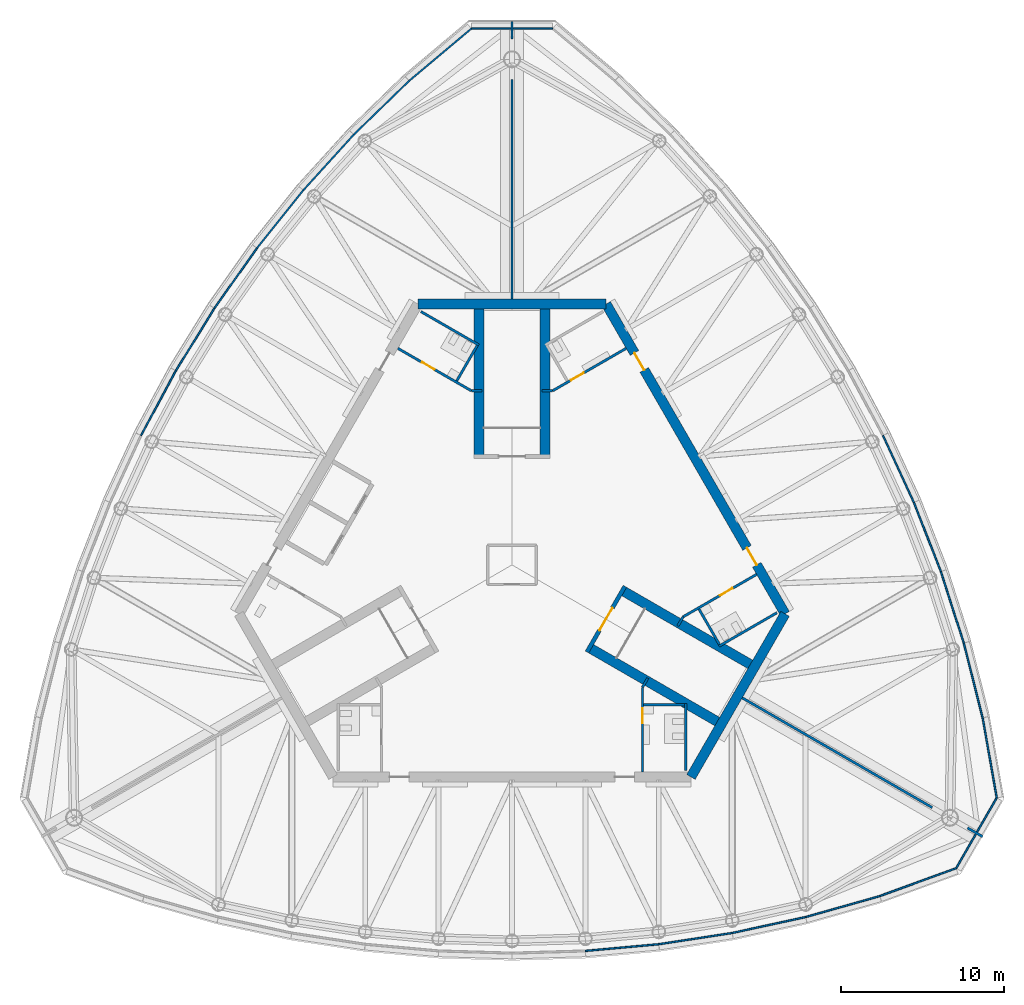
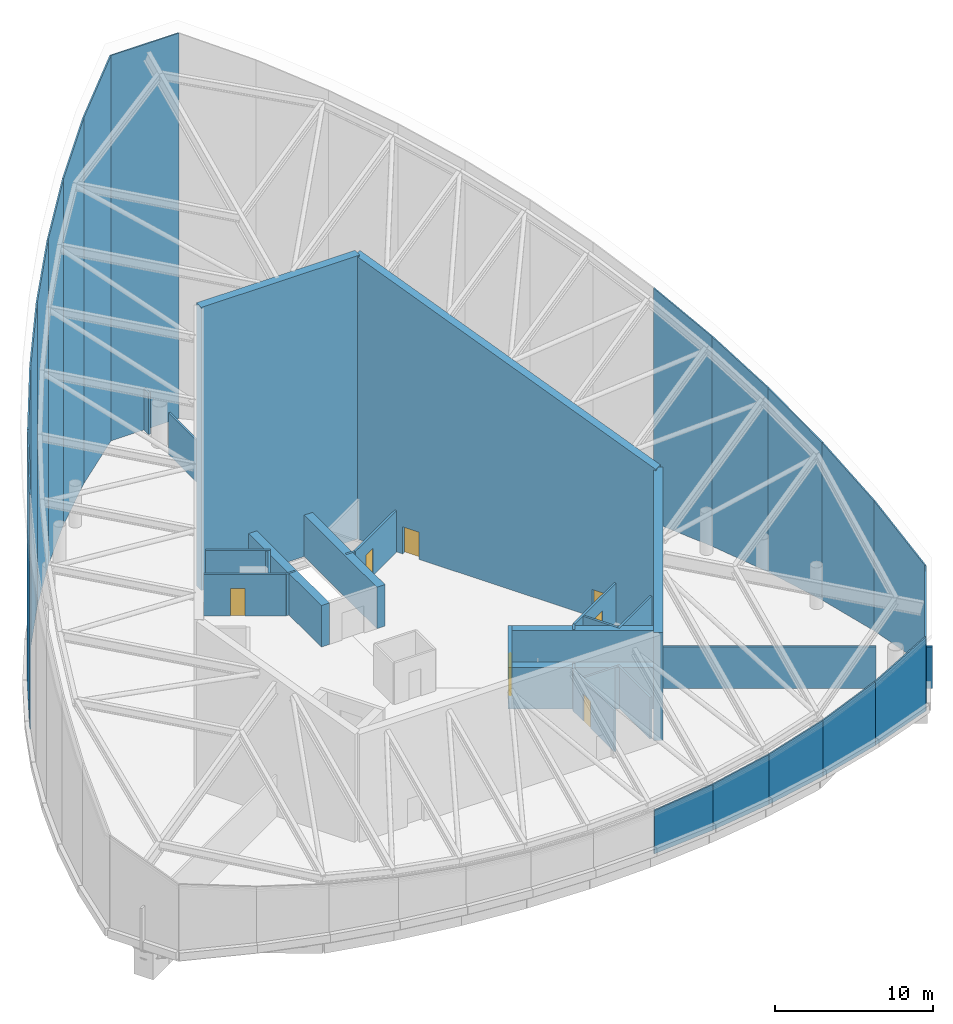
# One storey, part 6 of 10: 45 walls, 7 doors, 7 openings.
"""IFC4 building model written with IfcOpenShell, lengths in metres."""

from ifc_helpers import new_model, si_unit, direction, frame, frame_2d, origin, place, context, subcontext, project, spatial, polyline, rectangle, outline, extrude, material, layer, layer_set, type_object, element, fill, save


model = new_model("IFC4")

# Units and contexts
model_context = context("Model", 3, precision=1e-05, world=origin(), true_north=direction((0.0, 1.0)))
body_context = subcontext(model_context, "Body", "Model", "MODEL_VIEW")
ifc_project = project(units=[si_unit("LENGTHUNIT", "METRE"), si_unit("AREAUNIT", "SQUARE_METRE"), si_unit("VOLUMEUNIT", "CUBIC_METRE"), si_unit("PLANEANGLEUNIT", "RADIAN"), si_unit("MASSUNIT", "GRAM", prefix="KILO")], contexts=[model_context])

# Site, building, storey
site_placement = place(None, origin())
site = spatial("IfcSite", under=ifc_project, at=site_placement, CompositionType="ELEMENT")
building_placement = place(site_placement, origin())
building = spatial("IfcBuilding", under=site, at=building_placement, Name="Trefoil Bronze Tower", CompositionType="ELEMENT")
storey_placement = place(building_placement, frame((0.0, 0.0, 328.5)))
storey = spatial("IfcBuildingStorey", under=building, at=storey_placement, Name="RF", CompositionType="ELEMENT", Elevation=328.5)

# Wall
ifc_material_1 = material(Name="Concrete B80", Category="concrete")
ifc_layer_1 = layer(ifc_material_1, 0.60009765625)
ifc_layer_set_1 = layer_set([ifc_layer_1], Name="Core wall 600")
wall_type_1 = type_object("IfcWallType", Name="Core wall 600", PredefinedType="SHEAR", material=ifc_layer_set_1)
wall_1_placement = place(storey_placement, frame((10.9697265625, -13.0, 0.0), z_axis=(0.0, 0.0, 1.0), x_axis=(0.499995765644, 0.866027848477, 0.0)))
element("IfcWall", 1, at=wall_1_placement, inside=storey, type_object=wall_type_1, Name="Core short wall 1 RF", PredefinedType="SHEAR", context=body_context, shape_type="SweptSolid", body=[
    extrude(outline(polyline([(0.0, 0.0), (11.546875, 0.0), (11.547119140625, 12.97314453125), (0.0, 8.310302734375), (0.0, 0.0)])), frame((0.0, 0.300048828125, 0.0), z_axis=(0.0, -1.0, 0.0), x_axis=(1.0, 0.0, 0.0)), (0.0, 0.0, 1.0), 0.60009765625),
])

# Wall, openings, doors
wall_2_placement = place(storey_placement, frame((16.7431640625, -3.0, 0.0), z_axis=(0.0, 0.0, 1.0), x_axis=(-0.500002442456, 0.866023993627, 0.0)))
wall_2 = element("IfcWall", 2, at=wall_2_placement, inside=storey, type_object=wall_type_1, Name="Core long wall 2 RF", PredefinedType="SHEAR", context=body_context, shape_type="SweptSolid", body=[
    extrude(outline(polyline([(0.0, 0.0), (21.939453125, 0.0), (21.939208984375, 21.8330078125), (0.0, 12.97314453125), (0.0, 0.0)])), frame((0.0, 0.300048828125, 0.0), z_axis=(0.0, -1.0, 0.0), x_axis=(1.0, 0.0, 0.0)), (0.0, 0.0, 1.0), 0.60009765625),
])
opening_1_placement = place(wall_2_placement, frame((17.269775390625, 0.0, 0.0)))
opening_1 = element("IfcOpeningElement", 3, at=opening_1_placement, cuts=wall_2, Name="Opening D2", PredefinedType="OPENING", context=body_context, shape_type="SweptSolid", body=[
    extrude(rectangle(XDim=1.199951171875, YDim=2.10009765625, at=frame_2d((0.60009765625, 1.050048828125))), frame((0.0, 0.31005859375, 0.0), z_axis=(0.0, -1.0, 0.0), x_axis=(1.0, 0.0, 0.0)), (0.0, 0.0, 1.0), 0.6201171875),
])
opening_2_placement = place(wall_2_placement, frame((3.4697265625, 0.0, 0.0)))
opening_2 = element("IfcOpeningElement", 4, at=opening_2_placement, cuts=wall_2, Name="Opening D2", PredefinedType="OPENING", context=body_context, shape_type="SweptSolid", body=[
    extrude(rectangle(XDim=1.199951171875, YDim=2.10009765625, at=frame_2d((0.60009765625, 1.050048828125))), frame((0.0, 0.31005859375, 0.0), z_axis=(0.0, -1.0, 0.0), x_axis=(1.0, 0.0, 0.0)), (0.0, 0.0, 1.0), 0.6201171875),
])
ifc_material_2 = material(Name="Steel door", Category="steel")
door_type_1 = type_object("IfcDoorType", Name="Lobby door 1200", OperationType="SINGLE_SWING_RIGHT", PredefinedType="DOOR", material=ifc_material_2)
door_1_placement = place(opening_1_placement, origin())
door_1 = element("IfcDoor", 5, at=door_1_placement, inside=storey, type_object=door_type_1, Name="Lobby door F2+ RF", OperationType="SINGLE_SWING_RIGHT", OverallHeight=2.10009765625, OverallWidth=1.199951171875, PredefinedType="DOOR", context=body_context, shape_type="SweptSolid", body=[
    extrude(rectangle(XDim=1.199951171875, YDim=2.10009765625, at=frame_2d((0.60009765625, 1.050048828125))), frame((0.0, 0.02490234375, 0.0), z_axis=(0.0, -1.0, 0.0), x_axis=(1.0, 0.0, 0.0)), (0.0, 0.0, 1.0), 0.050048828125),
])
fill(opening_1, door_1)
door_2_placement = place(opening_2_placement, origin())
door_2 = element("IfcDoor", 6, at=door_2_placement, inside=storey, type_object=door_type_1, Name="Lobby door F2- RF", OperationType="SINGLE_SWING_LEFT", OverallHeight=2.10009765625, OverallWidth=1.199951171875, PredefinedType="DOOR", context=body_context, shape_type="SweptSolid", body=[
    extrude(rectangle(XDim=1.199951171875, YDim=2.10009765625, at=frame_2d((0.60009765625, 1.050048828125))), frame((0.0, 0.02490234375, 0.0), z_axis=(0.0, -1.0, 0.0), x_axis=(1.0, 0.0, 0.0)), (0.0, 0.0, 1.0), 0.050048828125),
])
fill(opening_2, door_2)

# Walls
wall_3_placement = place(storey_placement, frame((5.7734375, 16.0, 0.0), z_axis=(0.0, 0.0, 1.0), x_axis=(-1.0, 0.0, 0.0)))
element("IfcWall", 7, at=wall_3_placement, inside=storey, type_object=wall_type_1, Name="Core short wall 2 RF", PredefinedType="SHEAR", context=body_context, shape_type="SweptSolid", body=[
    extrude(outline(polyline([(0.0, 0.0), (11.546875, 0.0), (11.547119140625, 21.8330078125), (0.0, 21.8330078125), (0.0, 0.0)])), frame((0.0, 0.300048828125, 0.0), z_axis=(0.0, -1.0, 0.0), x_axis=(1.0, 0.0, 0.0)), (0.0, 0.0, 1.0), 0.60009765625),
])
ifc_material_3 = material(Name="Perforated bronze sheet", Category="bronze")
ifc_layer_2 = layer(ifc_material_3, 0.10009765625)
ifc_layer_set_2 = layer_set([ifc_layer_2], Name="Crown screen wall 100")
wall_type_2 = type_object("IfcWallType", Name="Crown screen wall 100", PredefinedType="USERDEFINED", material=ifc_layer_set_2)
wall_4_placement = place(storey_placement, frame((4.5, -23.665283203125, 0.0), z_axis=(0.0, 0.0, 1.0), x_axis=(0.995871921504, 0.090769576179, 0.0)))
element("IfcWall", 8, at=wall_4_placement, inside=storey, type_object=wall_type_2, Name="Crown screen wall 7", ObjectType="SCREEN", PredefinedType="USERDEFINED", context=body_context, shape_type="SweptSolid", body=[
    extrude(outline(polyline([(0.0, 0.0), (4.5185546875, 0.0), (4.5185546875, 3.528076171875), (0.0, 3.3369140625), (0.0, 0.0)])), frame((0.0, 0.050048828125, 0.0), z_axis=(0.0, -1.0, 0.0), x_axis=(1.0, 0.0, 0.0)), (0.0, 0.0, 1.0), 0.10009765625),
])
wall_5_placement = place(storey_placement, frame((9.0, -23.255126953125, 0.0), z_axis=(0.0, 0.0, 1.0), x_axis=(0.988481794406, 0.151339823341, 0.0)))
element("IfcWall", 9, at=wall_5_placement, inside=storey, type_object=wall_type_2, Name="Crown screen wall 8", ObjectType="SCREEN", PredefinedType="USERDEFINED", context=body_context, shape_type="SweptSolid", body=[
    extrude(outline(polyline([(0.0, 0.0), (4.552490234375, 0.0), (4.552490234375, 3.849365234375), (0.0, 3.528076171875), (0.0, 0.0)])), frame((0.0, 0.050048828125, 0.0), z_axis=(0.0, -1.0, 0.0), x_axis=(1.0, 0.0, 0.0)), (0.0, 0.0, 1.0), 0.10009765625),
])
wall_6_placement = place(storey_placement, frame((13.5, -22.566162109375, 0.0), z_axis=(0.0, 0.0, 1.0), x_axis=(0.977307775185, 0.211824249233, 0.0)))
element("IfcWall", 10, at=wall_6_placement, inside=storey, type_object=wall_type_2, Name="Crown screen wall 9", ObjectType="SCREEN", PredefinedType="USERDEFINED", context=body_context, shape_type="SweptSolid", body=[
    extrude(outline(polyline([(0.0, 0.0), (4.6044921875, 0.0), (4.6044921875, 4.30419921875), (0.0, 3.849365234375), (0.0, 0.0)])), frame((0.0, 0.050048828125, 0.0), z_axis=(0.0, -1.0, 0.0), x_axis=(1.0, 0.0, 0.0)), (0.0, 0.0, 1.0), 0.10009765625),
])
wall_7_placement = place(storey_placement, frame((18.0, -21.5908203125, 0.0), z_axis=(0.0, 0.0, 1.0), x_axis=(0.962092857379, 0.272722081579, 0.0)))
element("IfcWall", 11, at=wall_7_placement, inside=storey, type_object=wall_type_2, Name="Crown screen wall 10", ObjectType="SCREEN", PredefinedType="USERDEFINED", context=body_context, shape_type="SweptSolid", body=[
    extrude(outline(polyline([(0.0, 0.0), (4.7275390625, 0.0), (4.7275390625, 4.9052734375), (0.0, 4.30419921875), (0.0, 0.0)])), frame((0.0, 0.050048828125, 0.0), z_axis=(0.0, -1.0, 0.0), x_axis=(1.0, 0.0, 0.0)), (0.0, 0.0, 1.0), 0.10009765625),
])
wall_8_placement = place(storey_placement, frame((22.54833984375, -20.301513671875, 0.0), z_axis=(0.0, 0.0, 1.0), x_axis=(0.939700388428, 0.341998801149, 0.0)))
element("IfcWall", 12, at=wall_8_placement, inside=storey, type_object=wall_type_2, Name="Crown screen wall 11", ObjectType="SCREEN", PredefinedType="USERDEFINED", context=body_context, shape_type="SweptSolid", body=[
    extrude(outline(polyline([(0.0, 0.0), (4.982177734375, 0.0), (4.982177734375, 5.699951171875), (0.0, 4.9052734375), (0.0, 0.0)])), frame((0.0, 0.050048828125, 0.0), z_axis=(0.0, -1.0, 0.0), x_axis=(1.0, 0.0, 0.0)), (0.0, 0.0, 1.0), 0.10009765625),
])
wall_9_placement = place(storey_placement, frame((27.22998046875, -18.59765625, 0.0), z_axis=(0.0, 0.0, 1.0), x_axis=(0.49998120805, 0.86603625305, 0.0)))
element("IfcWall", 13, at=wall_9_placement, inside=storey, type_object=wall_type_2, Name="Crown screen wall 12", ObjectType="SCREEN", PredefinedType="USERDEFINED", context=body_context, shape_type="SweptSolid", body=[
    extrude(outline(polyline([(0.0, 0.0), (4.982177734375, 0.0), (4.982177734375, 7.7119140625), (0.0, 5.699951171875), (0.0, 0.0)])), frame((0.0, 0.050048828125, 0.0), z_axis=(0.0, -1.0, 0.0), x_axis=(1.0, 0.0, 0.0)), (0.0, 0.0, 1.0), 0.10009765625),
])
wall_10_placement = place(storey_placement, frame((29.720947265625, -14.282958984375, 0.0), z_axis=(0.0, 0.0, 1.0), x_axis=(-0.173625981998, 0.98481166645, 0.0)))
element("IfcWall", 14, at=wall_10_placement, inside=storey, type_object=wall_type_2, Name="Crown screen wall 13", ObjectType="SCREEN", PredefinedType="USERDEFINED", context=body_context, shape_type="SweptSolid", body=[
    extrude(outline(polyline([(0.0, 0.0), (4.98193359375, 0.0), (4.982177734375, 9.999755859375), (0.0, 7.7119140625), (0.0, 0.0)])), frame((0.0, 0.050048828125, 0.0), z_axis=(0.0, -1.0, 0.0), x_axis=(1.0, 0.0, 0.0)), (0.0, 0.0, 1.0), 0.10009765625),
])
wall_11_placement = place(storey_placement, frame((28.85595703125, -9.376708984375, 0.0), z_axis=(0.0, 0.0, 1.0), x_axis=(-0.244880009949, 0.969553392407, 0.0)))
element("IfcWall", 15, at=wall_11_placement, inside=storey, type_object=wall_type_2, Name="Crown screen wall 14", ObjectType="SCREEN", PredefinedType="USERDEFINED", context=body_context, shape_type="SweptSolid", body=[
    extrude(outline(polyline([(0.0, 0.0), (4.727783203125, 0.0), (4.7275390625, 12.13720703125), (0.0, 9.999755859375), (0.0, 0.0)])), frame((0.0, 0.050048828125, 0.0), z_axis=(0.0, -1.0, 0.0), x_axis=(1.0, 0.0, 0.0)), (0.0, 0.0, 1.0), 0.10009765625),
])
wall_12_placement = place(storey_placement, frame((27.6982421875, -4.79296875, 0.0), z_axis=(0.0, 0.0, 1.0), x_axis=(-0.305198955544, 0.952288610419, 0.0)))
element("IfcWall", 16, at=wall_12_placement, inside=storey, type_object=wall_type_2, Name="Crown screen wall 15", ObjectType="SCREEN", PredefinedType="USERDEFINED", context=body_context, shape_type="SweptSolid", body=[
    extrude(outline(polyline([(0.0, 0.0), (4.6044921875, 0.0), (4.6044921875, 14.181884765625), (0.0, 12.13720703125), (0.0, 0.0)])), frame((0.0, 0.050048828125, 0.0), z_axis=(0.0, -1.0, 0.0), x_axis=(1.0, 0.0, 0.0)), (0.0, 0.0, 1.0), 0.10009765625),
])
wall_13_placement = place(storey_placement, frame((26.29296875, -0.408203125, 0.0), z_axis=(0.0, 0.0, 1.0), x_axis=(-0.363230297573, 0.931699388711, 0.0)))
element("IfcWall", 17, at=wall_13_placement, inside=storey, type_object=wall_type_2, Name="Crown screen wall 16", ObjectType="SCREEN", PredefinedType="USERDEFINED", context=body_context, shape_type="SweptSolid", body=[
    extrude(outline(polyline([(0.0, 0.0), (4.552490234375, 0.0), (4.552490234375, 16.15966796875), (0.0, 14.181884765625), (0.0, 0.0)])), frame((0.0, 0.050048828125, 0.0), z_axis=(0.0, -1.0, 0.0), x_axis=(1.0, 0.0, 0.0)), (0.0, 0.0, 1.0), 0.10009765625),
])
wall_14_placement = place(storey_placement, frame((24.639404296875, 3.833251953125, 0.0), z_axis=(0.0, 0.0, 1.0), x_axis=(-0.419270595022, 0.907861315483, 0.0)))
element("IfcWall", 18, at=wall_14_placement, inside=storey, type_object=wall_type_2, Name="Crown screen wall 17", ObjectType="SCREEN", PredefinedType="USERDEFINED", context=body_context, shape_type="SweptSolid", body=[
    extrude(outline(polyline([(0.0, 0.0), (4.5185546875, 0.0), (4.5185546875, 18.072509765625), (0.0, 16.15966796875), (0.0, 0.0)])), frame((0.0, 0.050048828125, 0.0), z_axis=(0.0, -1.0, 0.0), x_axis=(1.0, 0.0, 0.0)), (0.0, 0.0, 1.0), 0.10009765625),
])
wall_15_placement = place(storey_placement, frame((2.490966796875, 32.880615234375, 0.0), z_axis=(0.0, 0.0, 1.0), x_axis=(-1.0, 0.0, 0.0)))
element("IfcWall", 19, at=wall_15_placement, inside=storey, type_object=wall_type_2, Name="Crown screen wall 25", ObjectType="SCREEN", PredefinedType="USERDEFINED", context=body_context, shape_type="SweptSolid", body=[
    extrude(outline(polyline([(0.0, 0.0), (4.98193359375, 0.0), (4.982177734375, 29.70458984375), (0.0, 29.70458984375), (0.0, 0.0)])), frame((0.0, 0.050048828125, 0.0), z_axis=(0.0, -1.0, 0.0), x_axis=(1.0, 0.0, 0.0)), (0.0, 0.0, 1.0), 0.10009765625),
])
wall_16_placement = place(storey_placement, frame((-2.490966796875, 32.880615234375, 0.0), z_axis=(0.0, 0.0, 1.0), x_axis=(-0.766059994953, -0.642769075277, 0.0)))
element("IfcWall", 20, at=wall_16_placement, inside=storey, type_object=wall_type_2, Name="Crown screen wall 26", ObjectType="SCREEN", PredefinedType="USERDEFINED", context=body_context, shape_type="SweptSolid", body=[
    extrude(outline(polyline([(0.0, 0.0), (4.982177734375, 0.0), (4.982177734375, 28.21142578125), (0.0, 29.70458984375), (0.0, 0.0)])), frame((0.0, 0.050048828125, 0.0), z_axis=(0.0, -1.0, 0.0), x_axis=(1.0, 0.0, 0.0)), (0.0, 0.0, 1.0), 0.10009765625),
])
wall_17_placement = place(storey_placement, frame((-6.3076171875, 29.67822265625, 0.0), z_axis=(0.0, 0.0, 1.0), x_axis=(-0.717207108263, -0.696860074805, 0.0)))
element("IfcWall", 21, at=wall_17_placement, inside=storey, type_object=wall_type_2, Name="Crown screen wall 27", ObjectType="SCREEN", PredefinedType="USERDEFINED", context=body_context, shape_type="SweptSolid", body=[
    extrude(outline(polyline([(0.0, 0.0), (4.7275390625, 0.0), (4.7275390625, 26.67529296875), (0.0, 28.21142578125), (0.0, 0.0)])), frame((0.0, 0.050048828125, 0.0), z_axis=(0.0, -1.0, 0.0), x_axis=(1.0, 0.0, 0.0)), (0.0, 0.0, 1.0), 0.10009765625),
])
wall_18_placement = place(storey_placement, frame((-9.6982421875, 26.3837890625, 0.0), z_axis=(0.0, 0.0, 1.0), x_axis=(-0.672107828981, -0.740453284295, 0.0)))
element("IfcWall", 22, at=wall_18_placement, inside=storey, type_object=wall_type_2, Name="Crown screen wall 28", ObjectType="SCREEN", PredefinedType="USERDEFINED", context=body_context, shape_type="SweptSolid", body=[
    extrude(outline(polyline([(0.0, 0.0), (4.6044921875, 0.0), (4.6044921875, 25.08544921875), (0.0, 26.67529296875), (0.0, 0.0)])), frame((0.0, 0.050048828125, 0.0), z_axis=(0.0, -1.0, 0.0), x_axis=(1.0, 0.0, 0.0)), (0.0, 0.0, 1.0), 0.10009765625),
])
wall_19_placement = place(storey_placement, frame((-12.79296875, 22.974365234375, 0.0), z_axis=(0.0, 0.0, 1.0), x_axis=(-0.625290045305, -0.780392439252, 0.0)))
element("IfcWall", 23, at=wall_19_placement, inside=storey, type_object=wall_type_2, Name="Crown screen wall 29", ObjectType="SCREEN", PredefinedType="USERDEFINED", context=body_context, shape_type="SweptSolid", body=[
    extrude(outline(polyline([(0.0, 0.0), (4.55224609375, 0.0), (4.552490234375, 23.4287109375), (0.0, 25.08544921875), (0.0, 0.0)])), frame((0.0, 0.050048828125, 0.0), z_axis=(0.0, -1.0, 0.0), x_axis=(1.0, 0.0, 0.0)), (0.0, 0.0, 1.0), 0.10009765625),
])
wall_20_placement = place(storey_placement, frame((-15.639404296875, 19.421875, 0.0), z_axis=(0.0, 0.0, 1.0), x_axis=(-0.576572893039, -0.817045714151, 0.0)))
element("IfcWall", 24, at=wall_20_placement, inside=storey, type_object=wall_type_2, Name="Crown screen wall 30", ObjectType="SCREEN", PredefinedType="USERDEFINED", context=body_context, shape_type="SweptSolid", body=[
    extrude(outline(polyline([(0.0, 0.0), (4.518798828125, 0.0), (4.5185546875, 21.70703125), (0.0, 23.4287109375), (0.0, 0.0)])), frame((0.0, 0.050048828125, 0.0), z_axis=(0.0, -1.0, 0.0), x_axis=(1.0, 0.0, 0.0)), (0.0, 0.0, 1.0), 0.10009765625),
])
wall_21_placement = place(storey_placement, frame((-18.244873046875, 15.729736328125, 0.0), z_axis=(0.0, 0.0, 1.0), x_axis=(-0.525981173851, -0.850496210899, 0.0)))
element("IfcWall", 25, at=wall_21_placement, inside=storey, type_object=wall_type_2, Name="Crown screen wall 31", ObjectType="SCREEN", PredefinedType="USERDEFINED", context=body_context, shape_type="SweptSolid", body=[
    extrude(outline(polyline([(0.0, 0.0), (4.501953125, 0.0), (4.501953125, 19.921630859375), (0.0, 21.70703125), (0.0, 0.0)])), frame((0.0, 0.050048828125, 0.0), z_axis=(0.0, -1.0, 0.0), x_axis=(1.0, 0.0, 0.0)), (0.0, 0.0, 1.0), 0.10009765625),
])
wall_22_placement = place(storey_placement, frame((-20.61279296875, 11.90087890625, 0.0), z_axis=(0.0, 0.0, 1.0), x_axis=(-0.473566170147, -0.880758242932, 0.0)))
element("IfcWall", 26, at=wall_22_placement, inside=storey, type_object=wall_type_2, Name="Crown screen wall 32", ObjectType="SCREEN", PredefinedType="USERDEFINED", context=body_context, shape_type="SweptSolid", body=[
    extrude(outline(polyline([(0.0, 0.0), (4.502197265625, 0.0), (4.501953125, 18.072509765625), (0.0, 19.921630859375), (0.0, 0.0)])), frame((0.0, 0.050048828125, 0.0), z_axis=(0.0, -1.0, 0.0), x_axis=(1.0, 0.0, 0.0)), (0.0, 0.0, 1.0), 0.10009765625),
])

# Wall, opening, door
ifc_material_4 = material(Name="Gypsum board on steel studs", Category="steel")
ifc_layer_3 = layer(ifc_material_4, 0.14990234375)
ifc_layer_set_3 = layer_set([ifc_layer_3], Name="Partition 150")
wall_type_3 = type_object("IfcWallType", Name="Partition 150", PredefinedType="PARTITIONING", material=ifc_layer_set_3)
wall_23_placement = place(storey_placement, frame((8.0, -7.5, 0.0), z_axis=(0.0, 0.0, 1.0), x_axis=(0.0, -1.0, 0.0)))
wall_23 = element("IfcWall", 27, at=wall_23_placement, inside=storey, type_object=wall_type_3, Name="Passage wall F1+ RF", PredefinedType="PARTITIONING", context=body_context, shape_type="SweptSolid", body=[
    extrude(rectangle(XDim=5.199951171875, YDim=0.14990234375, at=frame_2d((2.60009765625, 0.0))), origin(), (0.0, 0.0, 1.0), 3.199951171875),
])
opening_3_placement = place(wall_23_placement, frame((1.300048828125, 0.0, 0.0)))
opening_3 = element("IfcOpeningElement", 28, at=opening_3_placement, cuts=wall_23, Name="Opening D3", PredefinedType="OPENING", context=body_context, shape_type="SweptSolid", body=[
    extrude(rectangle(XDim=0.89990234375, YDim=2.10009765625, at=frame_2d((0.449951171875, 1.050048828125))), frame((0.0, 0.0849609375, 0.0), z_axis=(0.0, -1.0, 0.0), x_axis=(1.0, 0.0, 0.0)), (0.0, 0.0, 1.0), 0.169921875),
])
ifc_material_5 = material(Name="Timber door", Category="wood")
door_type_2 = type_object("IfcDoorType", Name="WC door 900", OperationType="SINGLE_SWING_LEFT", PredefinedType="DOOR", material=ifc_material_5)
door_3_placement = place(opening_3_placement, origin())
door_3 = element("IfcDoor", 29, at=door_3_placement, inside=storey, type_object=door_type_2, Name="WC (men) door RF", OperationType="SINGLE_SWING_LEFT", OverallHeight=2.10009765625, OverallWidth=0.89990234375, PredefinedType="DOOR", context=body_context, shape_type="SweptSolid", body=[
    extrude(rectangle(XDim=0.89990234375, YDim=2.10009765625, at=frame_2d((0.449951171875, 1.050048828125))), frame((0.0, 0.02490234375, 0.0), z_axis=(0.0, -1.0, 0.0), x_axis=(1.0, 0.0, 0.0)), (0.0, 0.0, 1.0), 0.050048828125),
])
fill(opening_3, door_3)

wall_24_placement = place(storey_placement, frame((2.4951171875, 10.67822265625, 0.0), z_axis=(0.0, 0.0, 1.0), x_axis=(0.866021400173, 0.500006934395, 0.0)))
wall_24 = element("IfcWall", 30, at=wall_24_placement, inside=storey, type_object=wall_type_3, Name="Passage wall F2+ RF", PredefinedType="PARTITIONING", context=body_context, shape_type="SweptSolid", body=[
    extrude(rectangle(XDim=5.2001953125, YDim=0.14990234375, at=frame_2d((2.60009765625, 0.0))), origin(), (0.0, 0.0, 1.0), 3.199951171875),
])
opening_4_placement = place(wall_24_placement, frame((1.300048828125, 0.0, 0.0)))
opening_4 = element("IfcOpeningElement", 31, at=opening_4_placement, cuts=wall_24, Name="Opening D3", PredefinedType="OPENING", context=body_context, shape_type="SweptSolid", body=[
    extrude(rectangle(XDim=0.89990234375, YDim=2.10009765625, at=frame_2d((0.449951171875, 1.050048828125))), frame((0.0, 0.0849609375, 0.0), z_axis=(0.0, -1.0, 0.0), x_axis=(1.0, 0.0, 0.0)), (0.0, 0.0, 1.0), 0.169921875),
])
door_4_placement = place(opening_4_placement, origin())
door_4 = element("IfcDoor", 32, at=door_4_placement, inside=storey, type_object=door_type_2, Name="WC (men) door RF", OperationType="SINGLE_SWING_LEFT", OverallHeight=2.10009765625, OverallWidth=0.89990234375, PredefinedType="DOOR", context=body_context, shape_type="SweptSolid", body=[
    extrude(rectangle(XDim=0.89990234375, YDim=2.10009765625, at=frame_2d((0.449951171875, 1.050048828125))), frame((0.0, 0.02490234375, 0.0), z_axis=(0.0, -1.0, 0.0), x_axis=(1.0, 0.0, 0.0)), (0.0, 0.0, 1.0), 0.050048828125),
])
fill(opening_4, door_4)

wall_25_placement = place(storey_placement, frame((10.4951171875, -3.17822265625, 0.0), z_axis=(0.0, 0.0, 1.0), x_axis=(0.866021400173, 0.500006934395, 0.0)))
wall_25 = element("IfcWall", 33, at=wall_25_placement, inside=storey, type_object=wall_type_3, Name="Passage wall F2- RF", PredefinedType="PARTITIONING", context=body_context, shape_type="SweptSolid", body=[
    extrude(rectangle(XDim=5.2001953125, YDim=0.14990234375, at=frame_2d((2.60009765625, 0.0))), origin(), (0.0, 0.0, 1.0), 3.199951171875),
])
opening_5_placement = place(wall_25_placement, frame((2.60009765625, 0.0, 0.0)))
opening_5 = element("IfcOpeningElement", 34, at=opening_5_placement, cuts=wall_25, Name="Opening D3", PredefinedType="OPENING", context=body_context, shape_type="SweptSolid", body=[
    extrude(rectangle(XDim=0.89990234375, YDim=2.10009765625, at=frame_2d((0.449951171875, 1.050048828125))), frame((0.0, 0.0849609375, 0.0), z_axis=(0.0, -1.0, 0.0), x_axis=(1.0, 0.0, 0.0)), (0.0, 0.0, 1.0), 0.169921875),
])
door_5_placement = place(opening_5_placement, frame((0.89990234375, 0.0, 0.0), z_axis=(0.0, 0.0, 1.0), x_axis=(-1.0, 0.0, 0.0)))
door_5 = element("IfcDoor", 35, at=door_5_placement, inside=storey, type_object=door_type_2, Name="WC (women) door RF", OperationType="SINGLE_SWING_RIGHT", OverallHeight=2.10009765625, OverallWidth=0.89990234375, PredefinedType="DOOR", context=body_context, shape_type="SweptSolid", body=[
    extrude(rectangle(XDim=0.89990234375, YDim=2.10009765625, at=frame_2d((0.449951171875, 1.050048828125))), frame((0.0, 0.02490234375, 0.0), z_axis=(0.0, -1.0, 0.0), x_axis=(1.0, 0.0, 0.0)), (0.0, 0.0, 1.0), 0.050048828125),
])
fill(opening_5, door_5)

wall_26_placement = place(storey_placement, frame((-2.4951171875, 10.67822265625, 0.0), z_axis=(0.0, 0.0, 1.0), x_axis=(-0.866021400173, 0.500006934395, 0.0)))
wall_26 = element("IfcWall", 36, at=wall_26_placement, inside=storey, type_object=wall_type_3, Name="Passage wall F3- RF", PredefinedType="PARTITIONING", context=body_context, shape_type="SweptSolid", body=[
    extrude(rectangle(XDim=5.2001953125, YDim=0.14990234375, at=frame_2d((2.60009765625, 0.0))), origin(), (0.0, 0.0, 1.0), 3.199951171875),
])
opening_6_placement = place(wall_26_placement, frame((2.60009765625, 0.0, 0.0)))
opening_6 = element("IfcOpeningElement", 37, at=opening_6_placement, cuts=wall_26, Name="Opening D3", PredefinedType="OPENING", context=body_context, shape_type="SweptSolid", body=[
    extrude(rectangle(XDim=0.89990234375, YDim=2.10009765625, at=frame_2d((0.449951171875, 1.050048828125))), frame((0.0, 0.0849609375, 0.0), z_axis=(0.0, -1.0, 0.0), x_axis=(1.0, 0.0, 0.0)), (0.0, 0.0, 1.0), 0.169921875),
])
door_6_placement = place(opening_6_placement, frame((0.89990234375, 0.0, 0.0), z_axis=(0.0, 0.0, 1.0), x_axis=(-1.0, 0.0, 0.0)))
door_6 = element("IfcDoor", 38, at=door_6_placement, inside=storey, type_object=door_type_2, Name="WC (women) door RF", OperationType="SINGLE_SWING_RIGHT", OverallHeight=2.10009765625, OverallWidth=0.89990234375, PredefinedType="DOOR", context=body_context, shape_type="SweptSolid", body=[
    extrude(rectangle(XDim=0.89990234375, YDim=2.10009765625, at=frame_2d((0.449951171875, 1.050048828125))), frame((0.0, 0.02490234375, 0.0), z_axis=(0.0, -1.0, 0.0), x_axis=(1.0, 0.0, 0.0)), (0.0, 0.0, 1.0), 0.050048828125),
])
fill(opening_6, door_6)

# Walls
for number, where, z_axis, x_axis, name in (
    (39, (8.0, -7.5, 0.0), (0.0, 0.0, 1.0), (0.499842556608, 0.866116284689, 0.0), "WC wall ST1-1 RF"),
    (40, (10.4951171875, -3.17822265625, 0.0), (0.0, 0.0, 1.0), (-0.499842556608, -0.866116284689, 0.0), "WC wall ST1+1 RF"),
):
    element("IfcWall", number, at=place(storey_placement, frame(where, z_axis=z_axis, x_axis=x_axis)), inside=storey, type_object=wall_type_3, Name=name, PredefinedType="PARTITIONING", context=body_context, shape_type="SweptSolid", body=[
        extrude(rectangle(XDim=0.645263671875, YDim=0.14990234375, at=frame_2d((0.32275390625, 0.0))), origin(), (0.0, 0.0, 1.0), 3.199951171875),
    ])
for number, where, z_axis, x_axis, name in (
    (41, (2.4951171875, 10.67822265625, 0.0), (0.0, 0.0, 1.0), (-1.0, 0.0, 0.0), "WC wall ST2-1 RF"),
    (42, (-2.4951171875, 10.67822265625, 0.0), (0.0, 0.0, 1.0), (1.0, 0.0, 0.0), "WC wall ST2+1 RF"),
):
    element("IfcWall", number, at=place(storey_placement, frame(where, z_axis=z_axis, x_axis=x_axis)), inside=storey, type_object=wall_type_3, Name=name, PredefinedType="PARTITIONING", context=body_context, shape_type="SweptSolid", body=[
        extrude(rectangle(XDim=0.64501953125, YDim=0.14990234375, at=frame_2d((0.322509765625, 0.0))), origin(), (0.0, 0.0, 1.0), 3.199951171875),
    ])
wall_27_placement = place(storey_placement, frame((10.659912109375, -8.5, 0.0), z_axis=(0.0, 0.0, 1.0), x_axis=(0.0, -1.0, 0.0)))
element("IfcWall", 43, at=wall_27_placement, inside=storey, type_object=wall_type_3, Name="WC partition WC (men) RF", PredefinedType="PARTITIONING", context=body_context, shape_type="SweptSolid", body=[
    extrude(rectangle(XDim=4.10009765625, YDim=0.14990234375, at=frame_2d((2.050048828125, 0.0))), origin(), (0.0, 0.0, 1.0), 3.199951171875),
])
wall_28_placement = place(storey_placement, frame((8.074951171875, -8.574951171875, 0.0), z_axis=(0.0, 0.0, 1.0), x_axis=(1.0, 0.0, 0.0)))
element("IfcWall", 44, at=wall_28_placement, inside=storey, type_object=wall_type_3, Name="WC partition WC (men) RF", PredefinedType="PARTITIONING", context=body_context, shape_type="SweptSolid", body=[
    extrude(rectangle(XDim=2.510009765625, YDim=0.14990234375, at=frame_2d((1.2548828125, 0.0))), origin(), (0.0, 0.0, 1.0), 3.199951171875),
])
wall_29_placement = place(storey_placement, frame((12.691162109375, -4.98193359375, 0.0), z_axis=(0.0, 0.0, 1.0), x_axis=(0.8660249478, 0.500000789788, 0.0)))
element("IfcWall", 45, at=wall_29_placement, inside=storey, type_object=wall_type_3, Name="WC partition WC (women) RF", PredefinedType="PARTITIONING", context=body_context, shape_type="SweptSolid", body=[
    extrude(rectangle(XDim=4.10009765625, YDim=0.14990234375, at=frame_2d((2.050048828125, 0.0))), origin(), (0.0, 0.0, 1.0), 3.199951171875),
])
wall_30_placement = place(storey_placement, frame((11.463623046875, -2.70556640625, 0.0), z_axis=(0.0, 0.0, 1.0), x_axis=(0.50001992892, -0.866013897511, 0.0)))
element("IfcWall", 46, at=wall_30_placement, inside=storey, type_object=wall_type_3, Name="WC partition WC (women) RF", PredefinedType="PARTITIONING", context=body_context, shape_type="SweptSolid", body=[
    extrude(rectangle(XDim=2.51025390625, YDim=0.14990234375, at=frame_2d((1.255126953125, 0.0))), origin(), (0.0, 0.0, 1.0), 3.199951171875),
])
wall_31_placement = place(storey_placement, frame((-2.03125, 13.48193359375, 0.0), z_axis=(0.0, 0.0, 1.0), x_axis=(-0.866050731258, 0.499956128963, 0.0)))
element("IfcWall", 47, at=wall_31_placement, inside=storey, type_object=wall_type_3, Name="WC partition WC (women) RF", PredefinedType="PARTITIONING", context=body_context, shape_type="SweptSolid", body=[
    extrude(rectangle(XDim=4.099853515625, YDim=0.14990234375, at=frame_2d((2.0498046875, 0.0))), origin(), (0.0, 0.0, 1.0), 3.199951171875),
])
wall_32_placement = place(storey_placement, frame((-3.388671875, 11.28076171875, 0.0), z_axis=(0.0, 0.0, 1.0), x_axis=(0.499989096993, 0.866031698547, 0.0)))
element("IfcWall", 48, at=wall_32_placement, inside=storey, type_object=wall_type_3, Name="WC partition WC (women) RF", PredefinedType="PARTITIONING", context=body_context, shape_type="SweptSolid", body=[
    extrude(rectangle(XDim=2.509765625, YDim=0.14990234375, at=frame_2d((1.2548828125, 0.0))), origin(), (0.0, 0.0, 1.0), 3.199951171875),
])
ifc_material_6 = material(Name="Gypsum board on steel studs", Category="steel")
ifc_layer_4 = layer(ifc_material_6, 0.14990234375)
ifc_layer_set_4 = layer_set([ifc_layer_4], Name="Party wall 150")
wall_type_4 = type_object("IfcWallType", Name="Party wall 150", PredefinedType="PARTITIONING", material=ifc_layer_set_4)
wall_33_placement = place(storey_placement, frame((14.1162109375, -8.14990234375, 0.0), z_axis=(0.0, 0.0, 1.0), x_axis=(0.866020541135, -0.500008422262, 0.0)))
element("IfcWall", 49, at=wall_33_placement, inside=storey, type_object=wall_type_4, Name="Party wall K1 RF", PredefinedType="PARTITIONING", context=body_context, shape_type="SweptSolid", body=[
    extrude(rectangle(XDim=13.449951171875, YDim=0.14990234375, at=frame_2d((6.72509765625, 0.0))), origin(), (0.0, 0.0, 1.0), 3.199951171875),
])
wall_34_placement = place(storey_placement, frame((27.92919921875, -16.125, 0.0), z_axis=(0.0, 0.0, 1.0), x_axis=(0.866086810508, -0.499893625349, 0.0)))
element("IfcWall", 50, at=wall_34_placement, inside=storey, type_object=wall_type_4, Name="Party wall K1 RF", PredefinedType="PARTITIONING", context=body_context, shape_type="SweptSolid", body=[
    extrude(rectangle(XDim=1.070068359375, YDim=0.14990234375, at=frame_2d((0.53515625, 0.0))), origin(), (0.0, 0.0, 1.0), 3.199951171875),
])
wall_35_placement = place(storey_placement, frame((0.0, 16.300048828125, 0.0), z_axis=(0.0, 0.0, 1.0), x_axis=(0.0, 1.0, 0.0)))
element("IfcWall", 51, at=wall_35_placement, inside=storey, type_object=wall_type_4, Name="Party wall K2 RF", PredefinedType="PARTITIONING", context=body_context, shape_type="SweptSolid", body=[
    extrude(rectangle(XDim=13.449951171875, YDim=0.14990234375, at=frame_2d((6.72509765625, 0.0))), origin(), (0.0, 0.0, 1.0), 3.199951171875),
])
wall_36_placement = place(storey_placement, frame((0.0, 32.25, 0.0), z_axis=(0.0, 0.0, 1.0), x_axis=(0.0, 1.0, 0.0)))
element("IfcWall", 52, at=wall_36_placement, inside=storey, type_object=wall_type_4, Name="Party wall K2 RF", PredefinedType="PARTITIONING", context=body_context, shape_type="SweptSolid", body=[
    extrude(rectangle(XDim=1.06982421875, YDim=0.14990234375, at=frame_2d((0.534912109375, 0.0))), origin(), (0.0, 0.0, 1.0), 3.199951171875),
])

# Wall, opening, door
ifc_material_7 = material(Name="Concrete B80", Category="concrete")
ifc_layer_5 = layer(ifc_material_7, 0.25)
ifc_layer_set_5 = layer_set([ifc_layer_5], Name="Shaft wall 250")
wall_type_5 = type_object("IfcWallType", Name="Shaft wall 250", PredefinedType="SHEAR", material=ifc_layer_set_5)
wall_37_placement = place(storey_placement, frame((4.5966796875, -5.338623046875, 0.0), z_axis=(0.0, 0.0, 1.0), x_axis=(0.499984536904, 0.866034331223, 0.0)))
wall_37 = element("IfcWall", 53, at=wall_37_placement, inside=storey, type_object=wall_type_5, Name="Stair end wall ST1 RF", PredefinedType="SHEAR", context=body_context, shape_type="SweptSolid", body=[
    extrude(rectangle(XDim=4.650146484375, YDim=0.25, at=frame_2d((2.3251953125, 0.0))), origin(), (0.0, 0.0, 1.0), 3.199951171875),
])
opening_7_placement = place(wall_37_placement, frame((1.52490234375, 0.0, 0.0)))
opening_7 = element("IfcOpeningElement", 54, at=opening_7_placement, cuts=wall_37, Name="Opening D1", PredefinedType="OPENING", context=body_context, shape_type="SweptSolid", body=[
    extrude(rectangle(XDim=1.60009765625, YDim=2.10009765625, at=frame_2d((0.800048828125, 1.050048828125))), frame((0.0, 0.135009765625, 0.0), z_axis=(0.0, -1.0, 0.0), x_axis=(1.0, 0.0, 0.0)), (0.0, 0.0, 1.0), 0.27001953125),
])
ifc_material_8 = material(Name="Steel door", Category="steel")
door_type_3 = type_object("IfcDoorType", Name="Stair door 1600", OperationType="DOUBLE_DOOR_SINGLE_SWING", PredefinedType="DOOR", material=ifc_material_8)
door_7_placement = place(opening_7_placement, frame((1.60009765625, 0.0, 0.0), z_axis=(0.0, 0.0, 1.0), x_axis=(-1.0, 0.0, 0.0)))
door_7 = element("IfcDoor", 55, at=door_7_placement, inside=storey, type_object=door_type_3, Name="Stair door ST1 RF", OperationType="DOUBLE_DOOR_SINGLE_SWING", OverallHeight=2.10009765625, OverallWidth=1.60009765625, PredefinedType="DOOR", context=body_context, shape_type="SweptSolid", body=[
    extrude(rectangle(XDim=1.60009765625, YDim=2.10009765625, at=frame_2d((0.800048828125, 1.050048828125))), frame((0.0, 0.02490234375, 0.0), z_axis=(0.0, -1.0, 0.0), x_axis=(1.0, 0.0, 0.0)), (0.0, 0.0, 1.0), 0.050048828125),
])
fill(opening_7, door_7)

# Walls
ifc_material_9 = material(Name="Concrete B80", Category="concrete")
ifc_layer_6 = layer(ifc_material_9, 0.60009765625)
ifc_layer_set_6 = layer_set([ifc_layer_6], Name="Stair wall 600")
wall_type_6 = type_object("IfcWallType", Name="Stair wall 600", PredefinedType="SHEAR", material=ifc_layer_set_6)
wall_38_placement = place(storey_placement, frame((4.638427734375, -5.01611328125, 0.0), z_axis=(0.0, 0.0, 1.0), x_axis=(0.866012320003, -0.50002266109, 0.0)))
element("IfcWall", 56, at=wall_38_placement, inside=storey, type_object=wall_type_6, Name="Stair wall ST1 RF", PredefinedType="SHEAR", context=body_context, shape_type="SweptSolid", body=[
    extrude(rectangle(XDim=9.1748046875, YDim=0.60009765625, at=frame_2d((4.58740234375, 0.0))), origin(), (0.0, 0.0, 1.0), 3.199951171875),
])
for number, where, z_axis, x_axis, name in (
    (57, (6.663330078125, -1.5087890625, 0.0), (0.0, 0.0, 1.0), (0.86603049496, -0.499991181721, 0.0), "Stair wall ST1 RF"),
    (58, (2.02490234375, 6.52490234375, 0.0), (0.0, 0.0, 1.0), (0.0, 1.0, 0.0), "Stair wall ST2 RF"),
    (59, (-2.02490234375, 6.52490234375, 0.0), (0.0, 0.0, 1.0), (0.0, 1.0, 0.0), "Stair wall ST2 RF"),
):
    element("IfcWall", number, at=place(storey_placement, frame(where, z_axis=z_axis, x_axis=x_axis)), inside=storey, type_object=wall_type_6, Name=name, PredefinedType="SHEAR", context=body_context, shape_type="SweptSolid", body=[
        extrude(rectangle(XDim=9.175048828125, YDim=0.60009765625, at=frame_2d((4.58740234375, 0.0))), origin(), (0.0, 0.0, 1.0), 3.199951171875),
    ])

save(model, "model.ifc")
